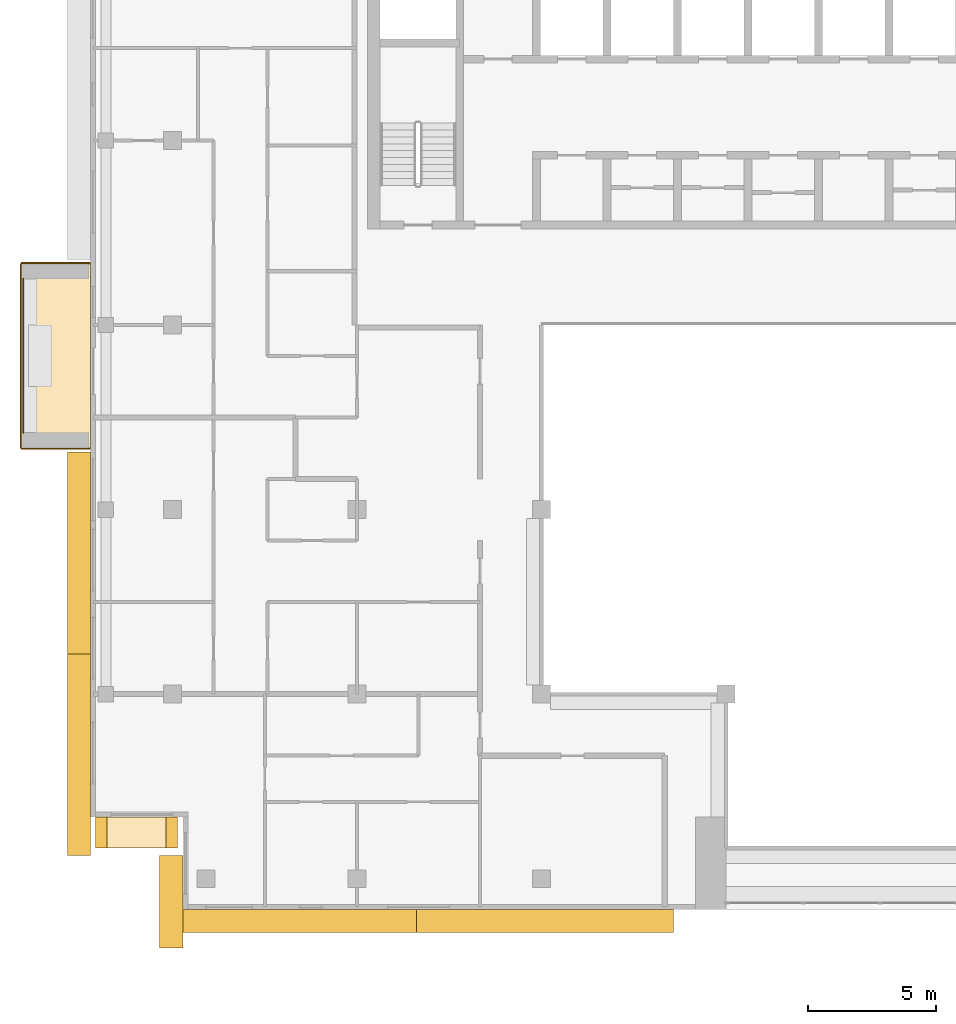
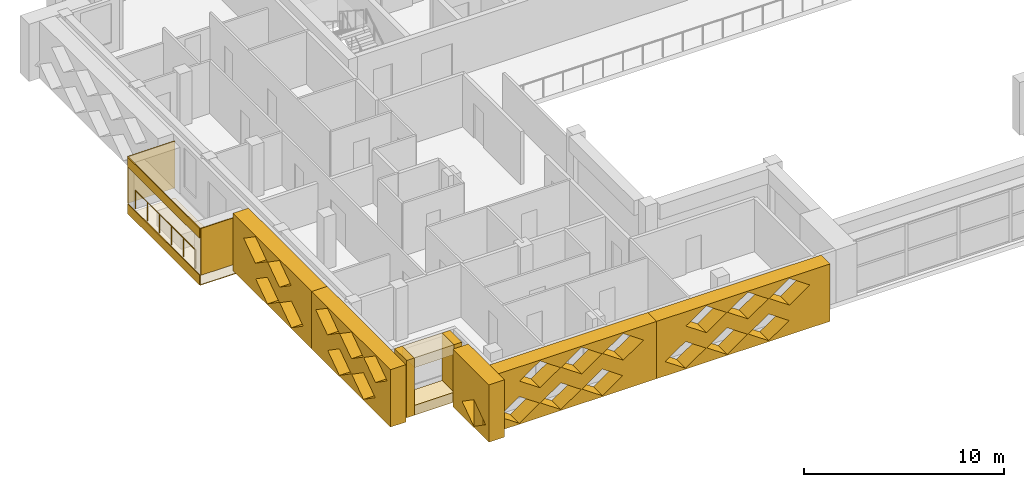
# One storey, part 13 of 19: 14 coverings, 1 railing.
"""IFC4 building model written with IfcOpenShell, lengths in metres."""

from ifc_helpers import new_model, si_unit, direction, frame, origin, origin_2d, place, context, subcontext, project, spatial, polyline, circle, outline, extrude, material, layer, layer_set, type_object, element, save


model = new_model("IFC4")

# Units and contexts
model_context = context("Model", 3, precision=1e-05, world=origin(), true_north=direction((0.0, 1.0)))
body_context = subcontext(model_context, "Body", "Model", "MODEL_VIEW")
ifc_project = project(units=[si_unit("LENGTHUNIT", "METRE"), si_unit("AREAUNIT", "SQUARE_METRE"), si_unit("VOLUMEUNIT", "CUBIC_METRE"), si_unit("PLANEANGLEUNIT", "RADIAN"), si_unit("MASSUNIT", "GRAM", prefix="KILO")], contexts=[model_context])

# Site, building, storey
site_placement = place(None, origin())
site = spatial("IfcSite", under=ifc_project, at=site_placement, CompositionType="ELEMENT")
building_placement = place(site_placement, origin())
building = spatial("IfcBuilding", under=site, at=building_placement, Name="Saffron Iwan Residences", CompositionType="ELEMENT")
storey_placement = place(building_placement, frame((0.0, 0.0, 253.5)))
storey = spatial("IfcBuildingStorey", under=building, at=storey_placement, Name="L68", CompositionType="ELEMENT", Elevation=253.5)

# Railing
ifc_material_1 = material(Name="Stainless steel 316", Category="steel")
railing_type = type_object("IfcRailingType", Name="BALCONY GUARD 1150", PredefinedType="GUARDRAIL", material=ifc_material_1)
railing_placement = place(storey_placement, frame((15.77490234375, 64.199951171875, 0.0)))
element("IfcRailing", 1, at=railing_placement, inside=storey, type_object=railing_type, Name="Balcony guard L68 F8-0", PredefinedType="GUARDRAIL", context=body_context, shape_type="SweptSolid", body=[
    extrude(circle(Radius=0.02392578125, at=origin_2d()), frame((0.0, 0.0, 1.1259765625), z_axis=(0.0, -1.0, 0.0), x_axis=(1.0, 0.0, 0.0)), (0.0, 0.0, 1.0), 6.0),
    extrude(circle(Radius=0.02099609375, at=origin_2d()), origin(), (0.0, 0.0, 1.0), 1.101806640625),
    extrude(circle(Radius=0.02099609375, at=origin_2d()), frame((0.0, -1.199951171875, 0.0)), (0.0, 0.0, 1.0), 1.101806640625),
    extrude(circle(Radius=0.02099609375, at=origin_2d()), frame((0.0, -2.39990234375, 0.0)), (0.0, 0.0, 1.0), 1.101806640625),
    extrude(circle(Radius=0.02099609375, at=origin_2d()), frame((0.0, -3.60009765625, 0.0)), (0.0, 0.0, 1.0), 1.101806640625),
    extrude(circle(Radius=0.02099609375, at=origin_2d()), frame((0.0, -4.800048828125, 0.0)), (0.0, 0.0, 1.0), 1.101806640625),
    extrude(circle(Radius=0.02099609375, at=origin_2d()), frame((0.0, -6.0, 0.0)), (0.0, 0.0, 1.0), 1.101806640625),
])

# Coverings
ifc_material_2 = material(Name="Precast concrete C40/50 white painted", Category="concrete")
ifc_layer = layer(ifc_material_2, 0.050048828125)
ifc_layer_set = layer_set([ifc_layer], Name="Precast concrete C40/50 white painted")
covering_type_1 = type_object("IfcCoveringType", Name="FRAME SKIN PRECAST WHITE 50", PredefinedType="CLADDING", material=ifc_layer_set)
for number, where, name in (
    (2, (0.0, 0.0, -0.60009765625), "Frame skin slab edge L68 F8-0"),
    (3, (0.0, 0.0, 2.25), "Frame skin fascia L68 F8-0"),
):
    element("IfcCovering", number, at=place(storey_placement, frame(where)), inside=storey, type_object=covering_type_1, Name=name, PredefinedType="CLADDING", context=body_context, shape_type="SweptSolid", body=[
        extrude(outline(polyline([(15.64990234375, 64.800048828125), (15.64990234375, 57.60009765625), (15.699951171875, 57.60009765625), (15.699951171875, 64.800048828125), (15.64990234375, 64.800048828125)])), origin(), (0.0, 0.0, 1.0), 0.60009765625),
    ])
covering_1_placement = place(storey_placement, frame((0.0, 0.0, -0.64990234375)))
element("IfcCovering", 4, at=covering_1_placement, inside=storey, type_object=covering_type_1, Name="Frame skin soffit L68 F8-0", PredefinedType="CLADDING", context=body_context, shape_type="SweptSolid", body=[
    extrude(outline(polyline([(15.699951171875, 64.800048828125), (15.699951171875, 57.60009765625), (18.39990234375, 57.60009765625), (18.39990234375, 64.800048828125), (15.699951171875, 64.800048828125)])), origin(), (0.0, 0.0, 1.0), 0.0498046875),
])
covering_2_placement = place(storey_placement, origin())
element("IfcCovering", 5, at=covering_2_placement, inside=storey, type_object=covering_type_1, Name="Frame skin fin L68 F8-0a", PredefinedType="CLADDING", context=body_context, shape_type="SweptSolid", body=[
    extrude(outline(polyline([(15.699951171875, 64.85009765625), (15.699951171875, 64.800048828125), (18.39990234375, 64.800048828125), (18.39990234375, 64.85009765625), (15.699951171875, 64.85009765625)])), origin(), (0.0, 0.0, 1.0), 2.85009765625),
])
covering_3_placement = place(storey_placement, origin())
element("IfcCovering", 6, at=covering_3_placement, inside=storey, type_object=covering_type_1, Name="Frame skin fin L68 F8-0b", PredefinedType="CLADDING", context=body_context, shape_type="SweptSolid", body=[
    extrude(outline(polyline([(15.699951171875, 57.60009765625), (15.699951171875, 57.550048828125), (18.39990234375, 57.550048828125), (18.39990234375, 57.60009765625), (15.699951171875, 57.60009765625)])), origin(), (0.0, 0.0, 1.0), 2.85009765625),
])
ifc_material_3 = material(Name="Precast concrete C40/50", Category="concrete")
covering_type_2 = type_object("IfcCoveringType", Name="OUTER SKIN LATTICE SCREEN", PredefinedType="CLADDING", material=ifc_material_3)
covering_4_placement = place(storey_placement, frame((18.39990234375, 57.449951171875, -0.280029296875), z_axis=(-1.0, 0.0, 0.0), x_axis=(0.0, -1.0, 0.0)))
element("IfcCovering", 7, at=covering_4_placement, inside=storey, type_object=covering_type_2, Name="OUTER SKIN lattice screen L68 F8.1", PredefinedType="CLADDING", context=body_context, shape_type="SweptSolid", body=[
    extrude(outline(polyline([(0.0, 0.0), (7.875, 0.0), (7.875, 3.5), (0.0, 3.5), (0.0, 0.0)]), holes=[polyline([(2.27001953125, 0.875), (3.449951171875, 0.06005859375), (4.6298828125, 0.875), (3.449951171875, 1.68994140625), (2.27001953125, 0.875)]), polyline([(4.669921875, 0.875), (5.85009765625, 0.06005859375), (7.030029296875, 0.875), (5.85009765625, 1.68994140625), (4.669921875, 0.875)]), polyline([(1.070068359375, 2.625), (2.25, 1.81005859375), (3.429931640625, 2.625), (2.25, 3.43994140625), (1.070068359375, 2.625)]), polyline([(3.469970703125, 2.625), (4.64990234375, 1.81005859375), (5.830078125, 2.625), (4.64990234375, 3.43994140625), (3.469970703125, 2.625)])]), origin(), (0.0, 0.0, 1.0), 0.89990234375),
])
covering_5_placement = place(storey_placement, frame((18.39990234375, 49.574951171875, -0.280029296875), z_axis=(-1.0, 0.0, 0.0), x_axis=(0.0, -1.0, 0.0)))
element("IfcCovering", 8, at=covering_5_placement, inside=storey, type_object=covering_type_2, Name="OUTER SKIN lattice screen L68 F8.2", PredefinedType="CLADDING", context=body_context, shape_type="SweptSolid", body=[
    extrude(outline(polyline([(0.0, 0.0), (7.875, 0.0), (7.875, 3.5), (0.0, 3.5), (0.0, 0.0)]), holes=[polyline([(1.594970703125, 0.875), (2.77490234375, 0.06005859375), (3.955078125, 0.875), (2.77490234375, 1.68994140625), (1.594970703125, 0.875)]), polyline([(3.9951171875, 0.875), (5.175048828125, 0.06005859375), (6.35498046875, 0.875), (5.175048828125, 1.68994140625), (3.9951171875, 0.875)]), polyline([(0.39501953125, 2.625), (1.574951171875, 1.81005859375), (2.7548828125, 2.625), (1.574951171875, 3.43994140625), (0.39501953125, 2.625)]), polyline([(2.794921875, 2.625), (3.97509765625, 1.81005859375), (5.155029296875, 2.625), (3.97509765625, 3.43994140625), (2.794921875, 2.625)]), polyline([(5.195068359375, 2.625), (6.375, 1.81005859375), (7.554931640625, 2.625), (6.375, 3.43994140625), (5.195068359375, 2.625)])]), origin(), (0.0, 0.0, 1.0), 0.89990234375),
])
covering_6_placement = place(storey_placement, frame((22.0, 41.699951171875, -0.280029296875), z_axis=(-1.0, 0.0, 0.0), x_axis=(0.0, -1.0, 0.0)))
element("IfcCovering", 9, at=covering_6_placement, inside=storey, type_object=covering_type_2, Name="OUTER SKIN lattice screen L68 F10.0", PredefinedType="CLADDING", context=body_context, shape_type="SweptSolid", body=[
    extrude(outline(polyline([(0.0, 0.0), (3.60009765625, 0.0), (3.60009765625, 3.5), (0.0, 3.5), (0.0, 0.0)]), holes=[polyline([(0.919921875, 0.875), (2.10009765625, 0.06005859375), (3.280029296875, 0.875), (2.10009765625, 1.68994140625), (0.919921875, 0.875)])]), origin(), (0.0, 0.0, 1.0), 0.89990234375),
])
covering_7_placement = place(storey_placement, frame((21.10009765625, 39.60009765625, -0.280029296875), z_axis=(0.0, -1.0, 0.0), x_axis=(1.0, 0.0, 0.0)))
element("IfcCovering", 10, at=covering_7_placement, inside=storey, type_object=covering_type_2, Name="OUTER SKIN lattice screen L68 F11.0", PredefinedType="CLADDING", context=body_context, shape_type="SweptSolid", body=[
    extrude(outline(polyline([(0.0, 0.0), (10.02490234375, 0.0), (10.02490234375, 3.5), (0.0, 3.5), (0.0, 0.0)]), holes=[polyline([(0.919921875, 0.875), (2.10009765625, 0.06005859375), (3.280029296875, 0.875), (2.10009765625, 1.68994140625), (0.919921875, 0.875)]), polyline([(3.320068359375, 0.875), (4.5, 0.06005859375), (5.679931640625, 0.875), (4.5, 1.68994140625), (3.320068359375, 0.875)]), polyline([(5.719970703125, 0.875), (6.89990234375, 0.06005859375), (8.080078125, 0.875), (6.89990234375, 1.68994140625), (5.719970703125, 0.875)]), polyline([(2.1201171875, 2.625), (3.300048828125, 1.81005859375), (4.47998046875, 2.625), (3.300048828125, 3.43994140625), (2.1201171875, 2.625)]), polyline([(4.52001953125, 2.625), (5.699951171875, 1.81005859375), (6.8798828125, 2.625), (5.699951171875, 3.43994140625), (4.52001953125, 2.625)]), polyline([(6.919921875, 2.625), (8.10009765625, 1.81005859375), (9.280029296875, 2.625), (8.10009765625, 3.43994140625), (6.919921875, 2.625)])]), origin(), (0.0, 0.0, 1.0), 0.900146484375),
])
covering_8_placement = place(storey_placement, frame((31.125, 39.60009765625, -0.280029296875), z_axis=(0.0, -1.0, 0.0), x_axis=(1.0, 0.0, 0.0)))
element("IfcCovering", 11, at=covering_8_placement, inside=storey, type_object=covering_type_2, Name="OUTER SKIN lattice screen L68 F11.1", PredefinedType="CLADDING", context=body_context, shape_type="SweptSolid", body=[
    extrude(outline(polyline([(0.0, 0.0), (10.02490234375, 0.0), (10.02490234375, 3.5), (0.0, 3.5), (0.0, 0.0)]), holes=[polyline([(0.4951171875, 0.875), (1.675048828125, 0.06005859375), (2.85498046875, 0.875), (1.675048828125, 1.68994140625), (0.4951171875, 0.875)]), polyline([(2.89501953125, 0.875), (4.074951171875, 0.06005859375), (5.2548828125, 0.875), (4.074951171875, 1.68994140625), (2.89501953125, 0.875)]), polyline([(5.294921875, 0.875), (6.47509765625, 0.06005859375), (7.655029296875, 0.875), (6.47509765625, 1.68994140625), (5.294921875, 0.875)]), polyline([(1.695068359375, 2.625), (2.875, 1.81005859375), (4.054931640625, 2.625), (2.875, 3.43994140625), (1.695068359375, 2.625)]), polyline([(4.094970703125, 2.625), (5.27490234375, 1.81005859375), (6.455078125, 2.625), (5.27490234375, 3.43994140625), (4.094970703125, 2.625)]), polyline([(6.4951171875, 2.625), (7.675048828125, 1.81005859375), (8.85498046875, 2.625), (7.675048828125, 3.43994140625), (6.4951171875, 2.625)])]), origin(), (0.0, 0.0, 1.0), 0.900146484375),
])
covering_type_3 = type_object("IfcCoveringType", Name="WHITE SUN FRAME PRECAST", PredefinedType="CLADDING", material=ifc_material_2)
for number, where, z_axis, x_axis, name in (
    (12, (18.60009765625, 43.199951171875, -0.280029296875), (0.0, -1.0, 0.0), (1.0, 0.0, 0.0), "Sun frame L68 F9 0.2a"),
    (13, (21.35009765625, 43.199951171875, -0.280029296875), (0.0, -1.0, 0.0), (1.0, 0.0, 0.0), "Sun frame L68 F9 0.2b"),
):
    element("IfcCovering", number, at=place(storey_placement, frame(where, z_axis=z_axis, x_axis=x_axis)), inside=storey, type_object=covering_type_3, Name=name, PredefinedType="CLADDING", context=body_context, shape_type="SweptSolid", body=[
        extrude(outline(polyline([(0.0, 0.0), (0.449951171875, 0.0), (0.449951171875, 3.5), (0.0, 3.5), (0.0, 0.0)])), origin(), (0.0, 0.0, 1.0), 1.199951171875),
    ])
for number, where, z_axis, x_axis, name in (
    (14, (19.050048828125, 43.199951171875, 2.6201171875), (0.0, -1.0, 0.0), (1.0, 0.0, 0.0), "Sun frame L68 F9 0.2h"),
    (15, (19.050048828125, 43.199951171875, -0.280029296875), (0.0, -1.0, 0.0), (1.0, 0.0, 0.0), "Sun frame L68 F9 0.2s"),
):
    element("IfcCovering", number, at=place(storey_placement, frame(where, z_axis=z_axis, x_axis=x_axis)), inside=storey, type_object=covering_type_3, Name=name, PredefinedType="CLADDING", context=body_context, shape_type="SweptSolid", body=[
        extrude(outline(polyline([(0.0, 0.0), (2.300048828125, 0.0), (2.300048828125, 0.60009765625), (0.0, 0.60009765625), (0.0, 0.0)])), origin(), (0.0, 0.0, 1.0), 1.199951171875),
    ])

save(model, "model.ifc")
